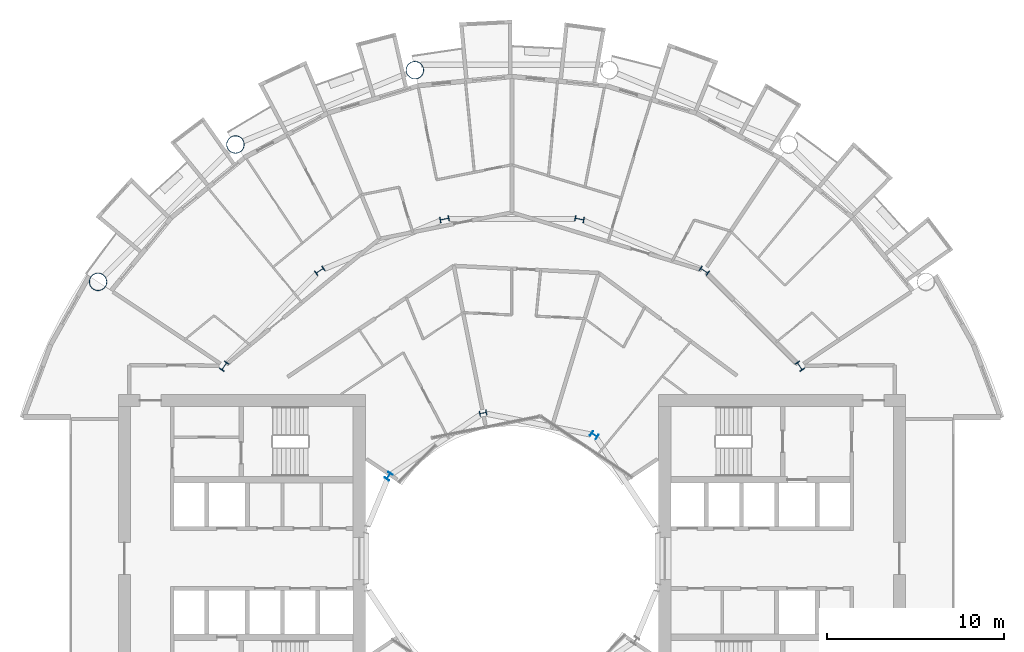
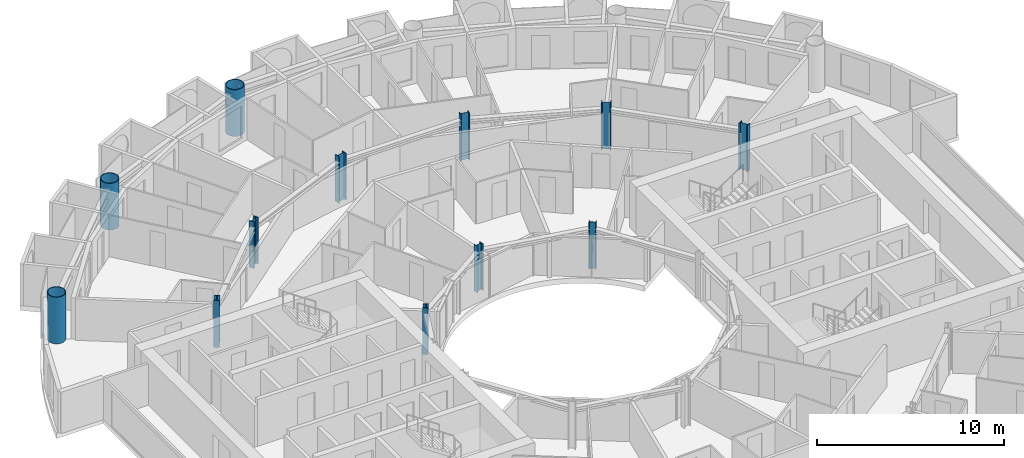
# One storey, part 3 of 26: 12 columns.
"""IFC4 building model written with IfcOpenShell, lengths in metres."""

from ifc_helpers import new_model, si_unit, direction, frame, origin, origin_2d, place, context, subcontext, project, spatial, hollow_circle, i_section, extrude, material, material_profile, profile_set, type_object, element, save


model = new_model("IFC4")

# Units and contexts
model_context = context("Model", 3, precision=1e-05, world=origin(), true_north=direction((0.0, 1.0)))
body_context = subcontext(model_context, "Body", "Model", "MODEL_VIEW")
ifc_project = project(units=[si_unit("LENGTHUNIT", "METRE"), si_unit("AREAUNIT", "SQUARE_METRE"), si_unit("VOLUMEUNIT", "CUBIC_METRE"), si_unit("PLANEANGLEUNIT", "RADIAN"), si_unit("MASSUNIT", "GRAM", prefix="KILO")], contexts=[model_context])

# Site, building, storey
site_placement = place(None, origin())
site = spatial("IfcSite", under=ifc_project, at=site_placement, CompositionType="ELEMENT")
building_placement = place(site_placement, origin())
building = spatial("IfcBuilding", under=site, at=building_placement, Name="Maasbend Ring Residences", CompositionType="ELEMENT")
storey_placement = place(building_placement, frame((0.0, 0.0, 91.050048828125)))
storey = spatial("IfcBuildingStorey", under=building, at=storey_placement, Name="L26", CompositionType="ELEMENT", Elevation=91.050048828125)

# Columns
ifc_material_1 = material(Name="Composite concrete-filled steel tube S460NH / C80/95", Category="concrete")
ifc_material_profile_1 = material_profile(ifc_material_1, hollow_circle(Radius=0.508056640625, WallThickness=0.0400390625, at=origin_2d()), Name="Composite tube column CHS 1016x40")
ifc_profile_set_1 = profile_set([ifc_material_profile_1], Name="Composite concrete-filled steel tube S460NH / C80/95")
column_type_1 = type_object("IfcColumnType", Name="Composite tube column CHS 1016x40", PredefinedType="COLUMN", material=ifc_profile_set_1)
for number, where, z_axis, x_axis, name in (
    (1, (-5.50146484375, 27.658203125, 0.0), (0.0, 0.0, 1.0), (1.0, 0.0, 0.0), "Outer column R5"),
    (2, (-15.6669921875, 23.447509765625, 0.0), (0.0, 0.0, 1.0), (1.0, 0.0, 0.0), "Outer column R6"),
    (3, (-23.447509765625, 15.6669921875, 0.0), (0.0, 0.0, 1.0), (1.0, 0.0, 0.0), "Outer column R7"),
):
    element("IfcColumn", number, at=place(storey_placement, frame(where, z_axis=z_axis, x_axis=x_axis)), inside=storey, type_object=column_type_1, Name=name, PredefinedType="COLUMN", context=body_context, shape_type="SweptSolid", body=[
        extrude(hollow_circle(Radius=0.508056640625, WallThickness=0.0400390625, at=origin_2d()), origin(), (0.0, 0.0, 1.0), 3.050048828125),
    ])
ifc_material_2 = material(Name="Steel S355J2", Category="steel")
ifc_material_profile_2 = material_profile(ifc_material_2, i_section(OverallWidth=0.300048828125, OverallDepth=0.39990234375, WebThickness=0.013427734375, FlangeThickness=0.02392578125, FilletRadius=0.027099609375, at=origin_2d()), Name="HEB 400")
ifc_profile_set_2 = profile_set([ifc_material_profile_2], Name="Steel S355J2")
column_type_2 = type_object("IfcColumnType", Name="Steel column HEB 400", PredefinedType="COLUMN", material=ifc_profile_set_2)
for number, where, z_axis, x_axis, name in (
    (4, (4.666748046875, 6.984375, 0.0), (0.0, 0.0, 1.0), (0.55557023302, 0.831469612303, 0.0), "Well ring column R3"),
    (5, (-1.638916015625, 8.238525390625, 0.0), (0.0, 0.0, 1.0), (-0.195090322016, 0.980785280403, 0.0), "Well ring column R5"),
    (6, (-6.984375, 4.666748046875, 0.0), (0.0, 0.0, 1.0), (-0.831469612303, 0.55557023302, 0.0), "Well ring column R7"),
):
    element("IfcColumn", number, at=place(storey_placement, frame(where, z_axis=z_axis, x_axis=x_axis)), inside=storey, type_object=column_type_2, Name=name, PredefinedType="COLUMN", context=body_context, shape_type="SweptSolid", body=[
        extrude(i_section(OverallWidth=0.300048828125, OverallDepth=0.39990234375, WebThickness=0.013427734375, FlangeThickness=0.02392578125, FilletRadius=0.027099609375, at=origin_2d()), origin(), (0.0, 0.0, 1.0), 3.050048828125),
    ])
ifc_material_3 = material(Name="Steel S460M", Category="steel")
ifc_material_profile_3 = material_profile(ifc_material_3, i_section(OverallWidth=0.305908203125, OverallDepth=0.52392578125, WebThickness=0.02099609375, FlangeThickness=0.0400390625, FilletRadius=0.027099609375, at=origin_2d()), Name="HEM 500")
ifc_profile_set_3 = profile_set([ifc_material_profile_3], Name="Steel S460M")
column_type_3 = type_object("IfcColumnType", Name="Steel column HEM 500", PredefinedType="COLUMN", material=ifc_profile_set_3)
for number, where, z_axis, x_axis, name in (
    (7, (16.296875, 10.88916015625, 0.0), (0.0, 0.0, 1.0), (0.831469612303, 0.55557023302, 0.0), "Corridor ring column R2"),
    (8, (10.88916015625, 16.296875, 0.0), (0.0, 0.0, 1.0), (0.55557023302, 0.831469612303, 0.0), "Corridor ring column R3"),
    (9, (3.82373046875, 19.223388671875, 0.0), (0.0, 0.0, 1.0), (0.195090322016, 0.980785280403, 0.0), "Corridor ring column R4"),
    (10, (-3.82373046875, 19.223388671875, 0.0), (0.0, 0.0, 1.0), (-0.195090322016, 0.980785280403, 0.0), "Corridor ring column R5"),
    (11, (-10.88916015625, 16.296875, 0.0), (0.0, 0.0, 1.0), (-0.55557023302, 0.831469612303, 0.0), "Corridor ring column R6"),
    (12, (-16.296875, 10.88916015625, 0.0), (0.0, 0.0, 1.0), (-0.831469612303, 0.55557023302, 0.0), "Corridor ring column R7"),
):
    element("IfcColumn", number, at=place(storey_placement, frame(where, z_axis=z_axis, x_axis=x_axis)), inside=storey, type_object=column_type_3, Name=name, PredefinedType="COLUMN", context=body_context, shape_type="SweptSolid", body=[
        extrude(i_section(OverallWidth=0.305908203125, OverallDepth=0.52392578125, WebThickness=0.02099609375, FlangeThickness=0.0400390625, FilletRadius=0.027099609375, at=origin_2d()), origin(), (0.0, 0.0, 1.0), 3.050048828125),
    ])

save(model, "model.ifc")
